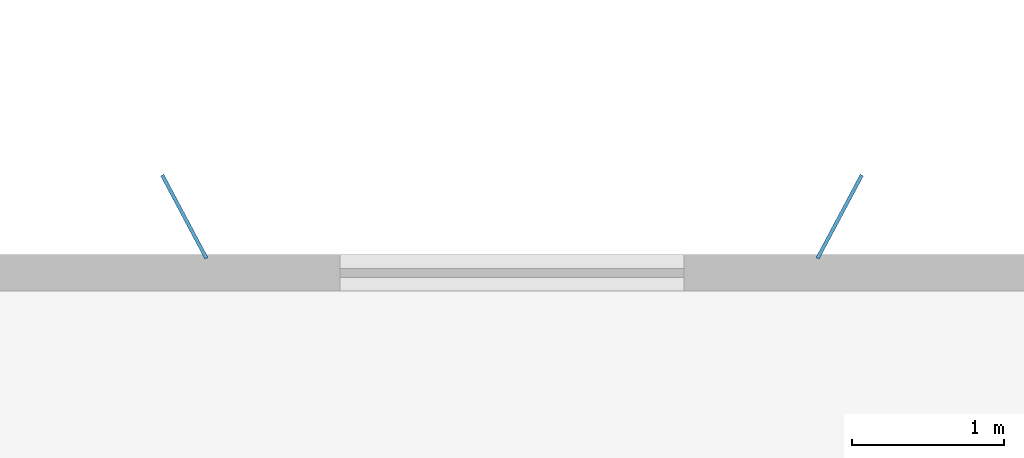
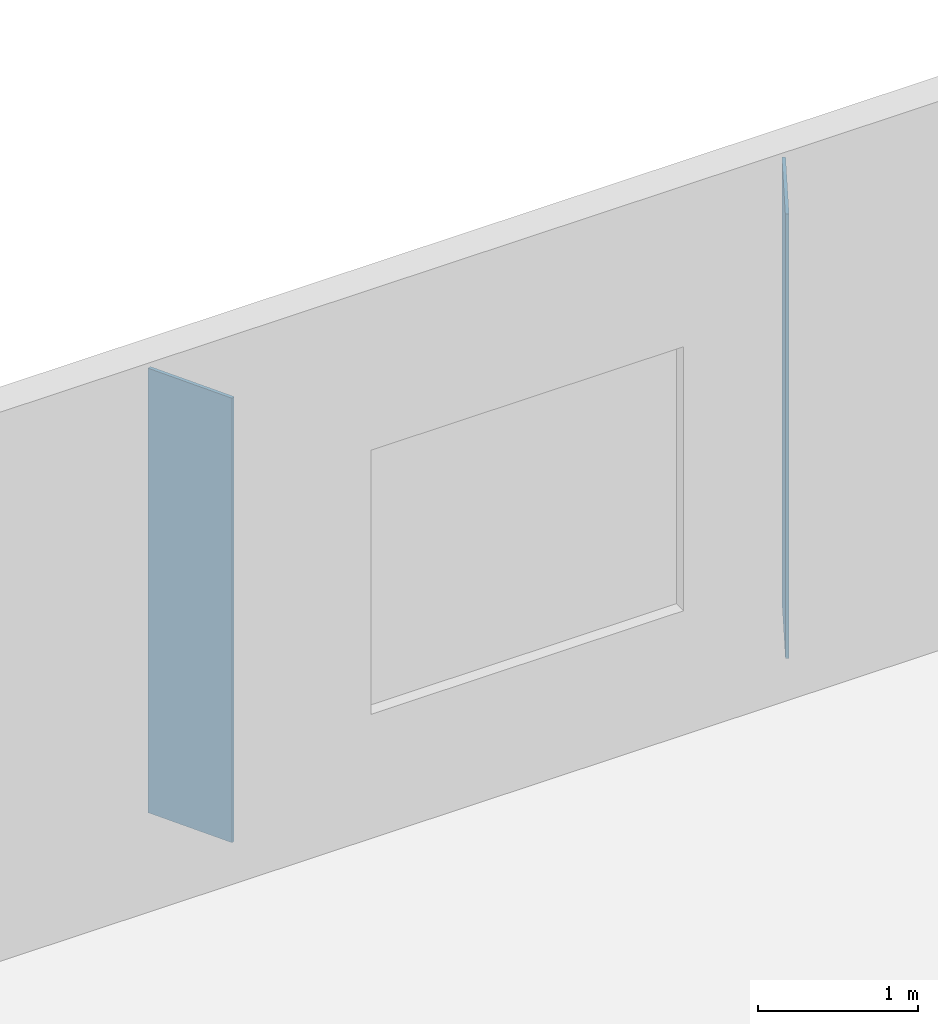
# One storey, part 8 of 34: 2 plates.
"""IFC4 building model written with IfcOpenShell, lengths in metres."""

from ifc_helpers import new_model, si_unit, direction, frame, origin, origin_2d, place, context, subcontext, project, spatial, rectangle, extrude, material, layer, layer_set, type_object, element, save


model = new_model("IFC4")

# Units and contexts
model_context = context("Model", 3, precision=1e-05, world=origin(), true_north=direction((0.0, 1.0)))
body_context = subcontext(model_context, "Body", "Model", "MODEL_VIEW")
ifc_project = project(units=[si_unit("LENGTHUNIT", "METRE"), si_unit("AREAUNIT", "SQUARE_METRE"), si_unit("VOLUMEUNIT", "CUBIC_METRE"), si_unit("PLANEANGLEUNIT", "RADIAN"), si_unit("MASSUNIT", "GRAM", prefix="KILO")], contexts=[model_context])

# Site, building, storey
site_placement = place(None, origin())
site = spatial("IfcSite", under=ifc_project, at=site_placement, CompositionType="ELEMENT")
building_placement = place(site_placement, origin())
building = spatial("IfcBuilding", under=site, at=building_placement, Name="Khurvash Pelagic Aquarium", CompositionType="ELEMENT")
storey_placement = place(building_placement, frame((0.0, 0.0, 15.60009765625)))
storey = spatial("IfcBuildingStorey", under=building, at=storey_placement, Name="L03", CompositionType="ELEMENT", Elevation=15.60009765625)

# Plates
ifc_material = material(Name="Anodised aluminium AW-5005", Category="aluminium")
ifc_layer = layer(ifc_material, 0.02392578125)
ifc_layer_set = layer_set([ifc_layer], Name="Anodised aluminium AW-5005")
plate_type = type_object("IfcPlateType", Name="SP-01", PredefinedType="SHEET", material=ifc_layer_set)
for number, where, z_axis, x_axis, name in (
    (1, (107.14990234375, 27.318115234375, 0.14990234375), (0.0, 0.0, 1.0), (0.469471562786, 0.882947592859, 0.0), "L03 Parametric Folded Aluminium Solar Screen Fin SP-01 0065"),
    (2, (102.85009765625, 27.318115234375, 0.14990234375), (0.0, 0.0, 1.0), (-0.469471562786, 0.882947592859, 0.0), "L03 Parametric Folded Aluminium Solar Screen Fin SP-01 0066"),
):
    element("IfcPlate", number, at=place(storey_placement, frame(where, z_axis=z_axis, x_axis=x_axis)), inside=storey, type_object=plate_type, Name=name, PredefinedType="SHEET", context=body_context, shape_type="SweptSolid", body=[
        extrude(rectangle(XDim=0.6201171875, YDim=0.02392578125, at=origin_2d()), origin(), (0.0, 0.0, 1.0), 3.39990234375),
    ])

save(model, "model.ifc")
